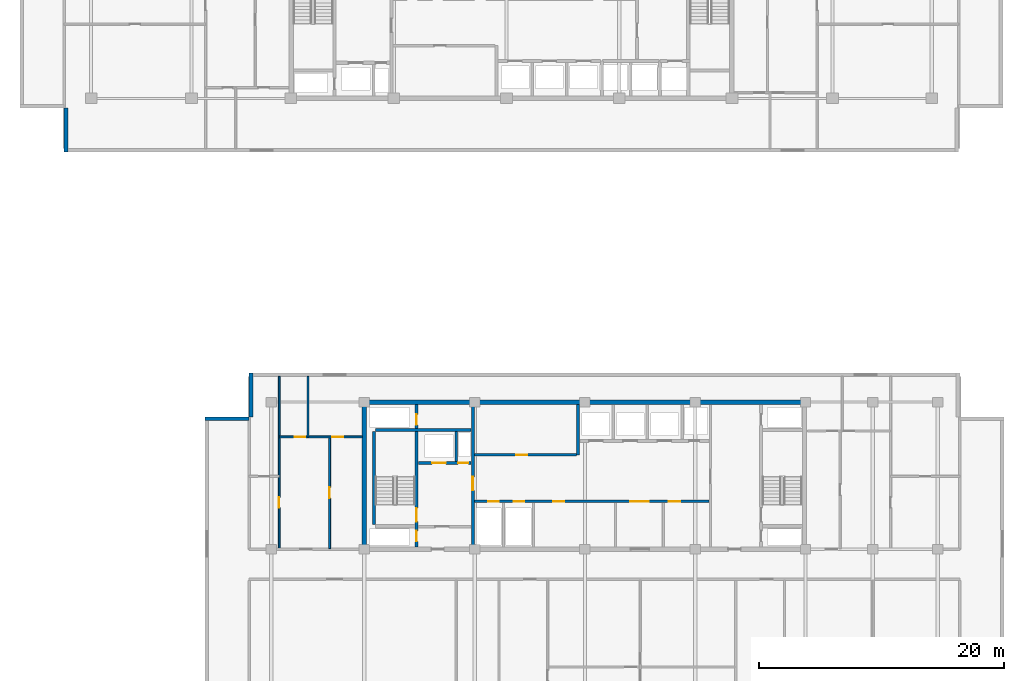
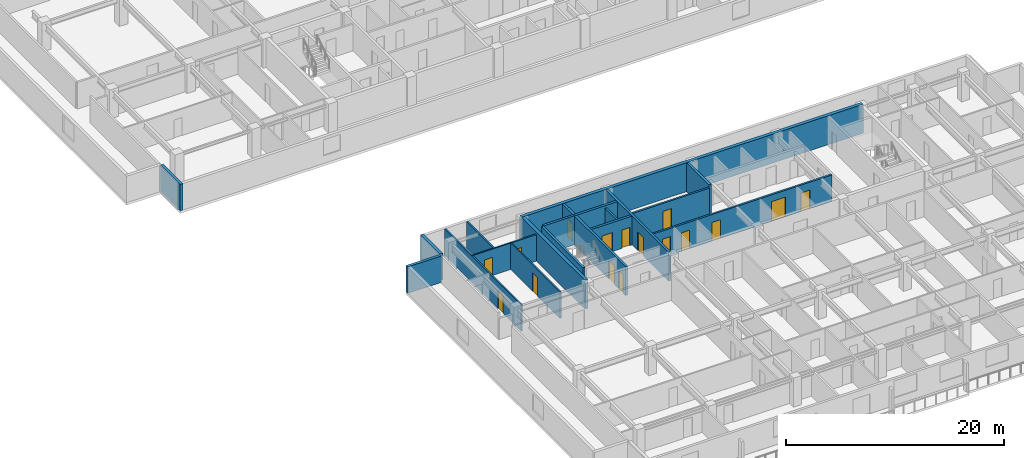
# One storey, part 6 of 21: 18 walls, 16 doors, 16 openings.
"""IFC4 building model written with IfcOpenShell, lengths in metres."""

import ifcopenshell
import ifcopenshell.guid

model = None  # the IFC model being written
_history = None  # IfcOwnerHistory: only IFC2X3 demands one
_inside = {}  # id of a spatial element -> (the spatial element, [elements in it])
_under = {}  # id of a project, library or spatial element -> (it, [spatial elements below it])
_declared = {}  # id of a project -> (the project, [libraries it declares])
_typed = {}  # id of a type object -> (the type object, [elements of that type])
_made_of = {}  # id of a material, layer set ... -> (it, [elements and type objects made of it])


def new_model(schema):
    """Start an empty IFC model of exactly this schema.

    Asked for "IFC4X3", IfcOpenShell would pick the latest addendum, in which some entities
    have other attributes; the version numbers below select the first issue.
    IFC2X3 requires an IfcOwnerHistory on every rooted entity: one is made here for all.
    """
    global model, _history
    if schema == "IFC4X3":
        model = ifcopenshell.file(schema_version=(4, 3, 0, 0))
    else:
        model = ifcopenshell.file(schema=schema)
    _inside.clear()
    _under.clear()
    _declared.clear()
    _typed.clear()
    _made_of.clear()
    _history = None
    if model.schema == "IFC2X3":
        org = make("IfcOrganization", Name="unknown")
        user = make(
            "IfcPersonAndOrganization",
            ThePerson=make("IfcPerson", FamilyName="unknown"),
            TheOrganization=org,
        )
        app = make(
            "IfcApplication",
            ApplicationDeveloper=org,
            Version="unknown",
            ApplicationFullName="unknown",
            ApplicationIdentifier="unknown",
        )
        _history = make(
            "IfcOwnerHistory",
            OwningUser=user,
            OwningApplication=app,
            ChangeAction="ADDED",
            CreationDate=0,
        )
    return model


def make(cls, **values):
    """One entity of the class cls with the attributes given. An attribute that is None is left unset."""
    return model.create_entity(
        cls, **{name: value for name, value in values.items() if value is not None}
    )


def rooted(cls, **values):
    """An entity with a GlobalId (a new one), such as an element, a storey or a relation."""
    return make(cls, GlobalId=ifcopenshell.guid.new(), OwnerHistory=_history, **values)


def si_unit(unit_type, name, prefix=None):
    """IfcSIUnit, for example si_unit("LENGTHUNIT", "METRE", prefix="MILLI")."""
    return make("IfcSIUnit", UnitType=unit_type, Prefix=prefix, Name=name)


def assignment(units):
    """IfcUnitAssignment: the units of a project."""
    return None if units is None else make("IfcUnitAssignment", Units=units)


def point(xyz):
    """IfcCartesianPoint."""
    return None if xyz is None else make("IfcCartesianPoint", Coordinates=xyz)


def direction(xyz):
    """IfcDirection."""
    return None if xyz is None else make("IfcDirection", DirectionRatios=xyz)


def frame(location, z_axis=None, x_axis=None):
    """IfcAxis2Placement3D, a coordinate frame: its origin and axes. An axis left out is left unset."""
    return make(
        "IfcAxis2Placement3D",
        Location=point(location),
        Axis=direction(z_axis),
        RefDirection=direction(x_axis),
    )


def frame_2d(location, x_axis=None):
    """IfcAxis2Placement2D, a coordinate frame in the plane: its origin and x axis."""
    return make(
        "IfcAxis2Placement2D", Location=point(location), RefDirection=direction(x_axis)
    )


def origin():
    """The frame at (0, 0, 0) with its axes left unset."""
    return frame((0.0, 0.0, 0.0))


def place(relative_to, where):
    """IfcLocalPlacement: puts the frame where relative to a parent placement (None: the world)."""
    return make(
        "IfcLocalPlacement", PlacementRelTo=relative_to, RelativePlacement=where
    )


def context(
    kind, dimensions, precision=None, world=None, true_north=None, identifier=None
):
    """IfcGeometricRepresentationContext, for example the 3D "Model" context."""
    return make(
        "IfcGeometricRepresentationContext",
        ContextIdentifier=identifier,
        ContextType=kind,
        CoordinateSpaceDimension=dimensions,
        Precision=precision,
        WorldCoordinateSystem=world,
        TrueNorth=true_north,
    )


def subcontext(parent, identifier, kind, view, scale=None):
    """IfcGeometricRepresentationSubContext, for example "Body" below "Model"."""
    return make(
        "IfcGeometricRepresentationSubContext",
        ContextIdentifier=identifier,
        ContextType=kind,
        ParentContext=parent,
        TargetScale=scale,
        TargetView=view,
    )


def project(units=None, contexts=None):
    """IfcProject with its units and contexts."""
    return rooted(
        "IfcProject",
        Name="project",
        RepresentationContexts=contexts,
        UnitsInContext=assignment(units),
    )


def spatial(cls, under=None, at=None, **own):
    """A site, building, storey or space (cls), placed at a placement, below another one or the project."""
    s = rooted(cls, ObjectPlacement=at, **own)
    if under is not None:
        _under.setdefault(under.id(), (under, []))[1].append(s)
    return s


def profile(cls, at=None, kind="AREA", **sizes):
    """A parametric profile (cls). Its sizes go by their IFC names, for example OverallWidth=200.0."""
    return make(cls, ProfileType=kind, Position=at, **sizes)


def rectangle(**sizes):
    """IfcRectangleProfileDef."""
    return profile("IfcRectangleProfileDef", **sizes)


def extrude(swept, where, along, depth):
    """IfcExtrudedAreaSolid: the profile swept, set in the frame where, extruded along a direction by depth."""
    return make(
        "IfcExtrudedAreaSolid",
        SweptArea=swept,
        Position=where,
        ExtrudedDirection=direction(along),
        Depth=depth,
    )


def shape(context_of_items, identifier, shape_type, items):
    """IfcShapeRepresentation: the items that make up one representation, for example the "Body"."""
    return make(
        "IfcShapeRepresentation",
        ContextOfItems=context_of_items,
        RepresentationIdentifier=identifier,
        RepresentationType=shape_type,
        Items=items,
    )


def material(Name=None, Category=None):
    """IfcMaterial."""
    return make("IfcMaterial", Name=Name, Category=Category)


def layer(
    of_material, thickness, ventilated=None, Name=None, Category=None, Priority=None
):
    """IfcMaterialLayer: one layer of a wall or slab, of a material (None: an air gap)."""
    return make(
        "IfcMaterialLayer",
        Material=of_material,
        LayerThickness=thickness,
        IsVentilated=ventilated,
        Name=Name,
        Category=Category,
        Priority=Priority,
    )


def layer_set(layers, Name=None):
    """IfcMaterialLayerSet."""
    return make("IfcMaterialLayerSet", MaterialLayers=layers, LayerSetName=Name)


def made_of(thing, what):
    """Note that an element or type object is made of a material, layer set ...; save() writes the relation."""
    if what is not None:
        _made_of.setdefault(what.id(), (what, []))[1].append(thing)
    return thing


def type_object(cls, material=None, **own):
    """A type object (cls), such as IfcWallType, which elements share."""
    return made_of(rooted(cls, **own), material)


def element(
    cls,
    number,
    at=None,
    inside=None,
    cuts=None,
    type_object=None,
    material=None,
    context=None,
    identifier="Body",
    shape_type=None,
    held_by="IfcProductDefinitionShape",
    body=None,
    shapes=None,
    **own,
):
    """One element of the class cls, such as IfcWall. Its Tag is "e" and its number.

    at: its placement. inside: the storey or other place that contains it. cuts: it is an
    opening in that element (IfcRelVoidsElement). A single representation is given by context,
    identifier, shape_type and body (its items); several are given by shapes. held_by: the class
    of the entity that holds the representations. save() writes the other relations.
    """
    e = rooted(cls, Tag="e%d" % number, ObjectPlacement=at, **own)
    if body is not None:
        shapes = [shape(context, identifier, shape_type, body)]
    if shapes is not None:
        e.Representation = make(held_by, Representations=shapes)
    if inside is not None:
        _inside.setdefault(inside.id(), (inside, []))[1].append(e)
    if cuts is not None:
        rooted(
            "IfcRelVoidsElement", RelatingBuildingElement=cuts, RelatedOpeningElement=e
        )
    if type_object is not None:
        _typed.setdefault(type_object.id(), (type_object, []))[1].append(e)
    return made_of(e, material)


def fill(opening, filler):
    """IfcRelFillsElement: the door or window that sits in an opening."""
    return rooted(
        "IfcRelFillsElement",
        RelatingOpeningElement=opening,
        RelatedBuildingElement=filler,
    )


def aggregate(whole, parts):
    """IfcRelAggregates: a whole, such as a stair, and the parts it consists of."""
    return rooted("IfcRelAggregates", RelatingObject=whole, RelatedObjects=parts)


def save(model, path):
    """Write the relations noted so far, then the file.

    IfcRelAggregates (storeys below a building ...), IfcRelContainedInSpatialStructure (elements
    in a storey), IfcRelDefinesByType, IfcRelAssociatesMaterial and IfcRelDeclares: one each for
    every whole, place, type object, material and project.
    """
    for whole, parts in _under.values():
        aggregate(whole, parts)
    for where, things in _inside.values():
        rooted(
            "IfcRelContainedInSpatialStructure",
            RelatedElements=things,
            RelatingStructure=where,
        )
    for kind, things in _typed.values():
        rooted("IfcRelDefinesByType", RelatedObjects=things, RelatingType=kind)
    for what, things in _made_of.values():
        rooted("IfcRelAssociatesMaterial", RelatedObjects=things, RelatingMaterial=what)
    for by, libraries in _declared.values():
        rooted("IfcRelDeclares", RelatingContext=by, RelatedDefinitions=libraries)
    model.write(path)


model = new_model("IFC4")

# Units and contexts
model_context = context("Model", 3, precision=1e-05, world=origin(), true_north=direction((0.0, 1.0)))
body_context = subcontext(model_context, "Body", "Model", "MODEL_VIEW")
ifc_project = project(units=[si_unit("LENGTHUNIT", "METRE"), si_unit("AREAUNIT", "SQUARE_METRE"), si_unit("VOLUMEUNIT", "CUBIC_METRE"), si_unit("PLANEANGLEUNIT", "RADIAN"), si_unit("MASSUNIT", "GRAM", prefix="KILO")], contexts=[model_context])

# Site, building, storey
site_placement = place(None, origin())
site = spatial("IfcSite", under=ifc_project, at=site_placement, CompositionType="ELEMENT")
building_placement = place(site_placement, origin())
building = spatial("IfcBuilding", under=site, at=building_placement, Name="Korimba Cascade Residences", CompositionType="ELEMENT")
storey_placement = place(building_placement, frame((0.0, 0.0, 123.050048828125)))
storey = spatial("IfcBuildingStorey", under=building, at=storey_placement, Name="L35", CompositionType="ELEMENT", Elevation=123.050048828125)

# Walls
ifc_material_1 = material(Name="Precast concrete C40/50", Category="concrete")
ifc_layer_1 = layer(ifc_material_1, 0.300048828125)
ifc_layer_set_1 = layer_set([ifc_layer_1], Name="Precast concrete C40/50")
wall_type_1 = type_object("IfcWallType", Name="EW-STONE-300", PredefinedType="STANDARD", material=ifc_layer_set_1)
wall_1_placement = place(storey_placement, frame((57.75, 54.39990234375, 0.0), z_axis=(0.0, 0.0, 1.0), x_axis=(0.0, -1.0, 0.0)))
element("IfcWall", 1, at=wall_1_placement, inside=storey, type_object=wall_type_1, Name="L35 T1 Perimeter Stone Wall E11", PredefinedType="STANDARD", context=body_context, shape_type="SweptSolid", body=[
    extrude(rectangle(XDim=3.599853515625, YDim=0.300048828125, at=frame_2d((1.7998046875, 0.0))), origin(), (0.0, 0.0, 1.0), 2.969970703125),
])
wall_2_placement = place(storey_placement, frame((72.85009765625, 32.800048828125, 0.0), z_axis=(0.0, 0.0, 1.0), x_axis=(0.0, -1.0, 0.0)))
element("IfcWall", 2, at=wall_2_placement, inside=storey, type_object=wall_type_1, Name="L35 T2 Perimeter Stone Wall E07", PredefinedType="STANDARD", context=body_context, shape_type="SweptSolid", body=[
    extrude(rectangle(XDim=3.60009765625, YDim=0.300048828125, at=frame_2d((1.800048828125, 0.0))), origin(), (0.0, 0.0, 1.0), 2.969970703125),
])
wall_3_placement = place(storey_placement, frame((72.699951171875, 29.050048828125, 0.0), z_axis=(0.0, 0.0, 1.0), x_axis=(-1.0, 0.0, 0.0)))
element("IfcWall", 3, at=wall_3_placement, inside=storey, type_object=wall_type_1, Name="L35 T2 Perimeter Stone Wall E08", PredefinedType="STANDARD", context=body_context, shape_type="SweptSolid", body=[
    extrude(rectangle(XDim=3.599853515625, YDim=0.300048828125, at=frame_2d((1.7998046875, 0.0))), origin(), (0.0, 0.0, 1.0), 2.969970703125),
])
ifc_material_2 = material(Name="Concrete C65/80", Category="concrete")
ifc_layer_2 = layer(ifc_material_2, 0.35009765625)
ifc_layer_set_2 = layer_set([ifc_layer_2], Name="Concrete C65/80")
wall_type_2 = type_object("IfcWallType", Name="WAL-CORE-350", PredefinedType="SHEAR", material=ifc_layer_set_2)
wall_4_placement = place(storey_placement, frame((81.925048828125, 30.39990234375, 0.0), z_axis=(0.0, 0.0, 1.0), x_axis=(1.0, 0.0, 0.0)))
element("IfcWall", 4, at=wall_4_placement, inside=storey, type_object=wall_type_2, Name="L35 Core Shear Wall CW-L35-T2-N", PredefinedType="SHEAR", context=body_context, shape_type="SweptSolid", body=[
    extrude(rectangle(XDim=36.264892578125, YDim=0.35009765625, at=frame_2d((18.13232421875, 0.0))), origin(), (0.0, 0.0, 1.0), 3.25),
])
wall_5_placement = place(storey_placement, frame((82.10009765625, 18.574951171875, 0.0), z_axis=(0.0, 0.0, 1.0), x_axis=(0.0, 1.0, 0.0)))
element("IfcWall", 5, at=wall_5_placement, inside=storey, type_object=wall_type_2, Name="L35 Core Shear Wall CW-L35-T2-W", PredefinedType="SHEAR", context=body_context, shape_type="SweptSolid", body=[
    extrude(rectangle(XDim=11.650146484375, YDim=0.35009765625, at=frame_2d((5.8251953125, 0.0))), origin(), (0.0, 0.0, 1.0), 3.25),
])

# Wall, opening, door
ifc_material_3 = material(Name="Insulated Acoustic Stud Partition", Category="gypsum")
ifc_layer_3 = layer(ifc_material_3, 0.14990234375)
ifc_layer_set_3 = layer_set([ifc_layer_3], Name="Insulated Acoustic Stud Partition")
wall_type_3 = type_object("IfcWallType", Name="WAL-PART-150", PredefinedType="PARTITIONING", material=ifc_layer_set_3)
wall_6_placement = place(storey_placement, frame((75.14990234375, 18.449951171875, 0.0), z_axis=(0.0, 0.0, 1.0), x_axis=(0.0, 1.0, 0.0)))
wall_6 = element("IfcWall", 6, at=wall_6_placement, inside=storey, type_object=wall_type_3, Name="L35 Partition Wall WAL-L35-T2-FW-STV", PredefinedType="PARTITIONING", context=body_context, shape_type="SweptSolid", body=[
    extrude(rectangle(XDim=14.050048828125, YDim=0.14990234375, at=frame_2d((7.02490234375, 0.0))), origin(), (0.0, 0.0, 1.0), 2.969970703125),
])
opening_1_placement = place(wall_6_placement, frame((3.320068359375, 0.0, 0.0)))
opening_1 = element("IfcOpeningElement", 7, at=opening_1_placement, cuts=wall_6, Name="Opening D-IN2", PredefinedType="OPENING", context=body_context, shape_type="SweptSolid", body=[
    extrude(rectangle(XDim=0.8798828125, YDim=2.06005859375, at=frame_2d((0.43994140625, 1.030029296875))), frame((0.0, 0.0849609375, 0.0), z_axis=(0.0, -1.0, 0.0), x_axis=(1.0, 0.0, 0.0)), (0.0, 0.0, 1.0), 0.169921875),
])
ifc_material_4 = material(Name="Acoustic Timber Bedroom Door", Category="wood")
door_type_1 = type_object("IfcDoorType", Name="DR-INT-880", OperationType="NOTDEFINED", PredefinedType="DOOR", material=ifc_material_4)
door_1_placement = place(opening_1_placement, origin())
door_1 = element("IfcDoor", 8, at=door_1_placement, inside=storey, type_object=door_type_1, Name="L35-T2-FW Study Door", OperationType="SINGLE_SWING_RIGHT", OverallHeight=2.06005859375, OverallWidth=0.8798828125, PredefinedType="DOOR", context=body_context, shape_type="SweptSolid", body=[
    extrude(rectangle(XDim=0.8798828125, YDim=2.06005859375, at=frame_2d((0.43994140625, 1.030029296875))), frame((0.0, 0.02490234375, 0.0), z_axis=(0.0, -1.0, 0.0), x_axis=(1.0, 0.0, 0.0)), (0.0, 0.0, 1.0), 0.050048828125),
])
fill(opening_1, door_1)

wall_7_placement = place(storey_placement, frame((79.27001953125, 18.449951171875, 0.0), z_axis=(0.0, 0.0, 1.0), x_axis=(0.0, 1.0, 0.0)))
wall_7 = element("IfcWall", 9, at=wall_7_placement, inside=storey, type_object=wall_type_3, Name="L35 Partition Wall WAL-L35-T2-FW-VS", PredefinedType="PARTITIONING", context=body_context, shape_type="SweptSolid", body=[
    extrude(rectangle(XDim=9.1201171875, YDim=0.14990234375, at=frame_2d((4.56005859375, 0.0))), origin(), (0.0, 0.0, 1.0), 2.969970703125),
])
opening_2_placement = place(wall_7_placement, frame((4.10009765625, 0.0, 0.0)))
opening_2 = element("IfcOpeningElement", 10, at=opening_2_placement, cuts=wall_7, Name="Opening D-IN1", PredefinedType="OPENING", context=body_context, shape_type="SweptSolid", body=[
    extrude(rectangle(XDim=0.919921875, YDim=2.080078125, at=frame_2d((0.4599609375, 1.0400390625))), frame((0.0, 0.0849609375, 0.0), z_axis=(0.0, -1.0, 0.0), x_axis=(1.0, 0.0, 0.0)), (0.0, 0.0, 1.0), 0.169921875),
])
ifc_material_5 = material(Name="Acoustic Timber Living Door", Category="wood")
door_type_2 = type_object("IfcDoorType", Name="DR-INT-920", OperationType="NOTDEFINED", PredefinedType="DOOR", material=ifc_material_5)
door_2_placement = place(opening_2_placement, origin())
door_2 = element("IfcDoor", 11, at=door_2_placement, inside=storey, type_object=door_type_2, Name="L35-T2-FW Living Door", OperationType="SINGLE_SWING_LEFT", OverallHeight=2.080078125, OverallWidth=0.919921875, PredefinedType="DOOR", context=body_context, shape_type="SweptSolid", body=[
    extrude(rectangle(XDim=0.919921875, YDim=2.080078125, at=frame_2d((0.4599609375, 1.0400390625))), frame((0.0, 0.02490234375, 0.0), z_axis=(0.0, -1.0, 0.0), x_axis=(1.0, 0.0, 0.0)), (0.0, 0.0, 1.0), 0.050048828125),
])
fill(opening_2, door_2)

# Wall
wall_8_placement = place(storey_placement, frame((77.5, 27.570068359375, 0.0), z_axis=(0.0, 0.0, 1.0), x_axis=(0.0, 1.0, 0.0)))
element("IfcWall", 12, at=wall_8_placement, inside=storey, type_object=wall_type_3, Name="L35 Partition Wall WAL-L35-T2-FW-VN", PredefinedType="PARTITIONING", context=body_context, shape_type="SweptSolid", body=[
    extrude(rectangle(XDim=4.929931640625, YDim=0.14990234375, at=frame_2d((2.46484375, 0.0))), origin(), (0.0, 0.0, 1.0), 2.969970703125),
])

# Wall, openings, doors
wall_9_placement = place(storey_placement, frame((75.169921875, 27.570068359375, 0.0), z_axis=(0.0, 0.0, 1.0), x_axis=(1.0, 0.0, 0.0)))
wall_9 = element("IfcWall", 13, at=wall_9_placement, inside=storey, type_object=wall_type_3, Name="L35 Partition Wall WAL-L35-T2-FW-H", PredefinedType="PARTITIONING", context=body_context, shape_type="SweptSolid", body=[
    extrude(rectangle(XDim=6.760009765625, YDim=0.14990234375, at=frame_2d((3.3798828125, 0.0))), origin(), (0.0, 0.0, 1.0), 2.969970703125),
])
opening_3_placement = place(wall_9_placement, frame((1.266357421875, 0.0, 0.0)))
opening_3 = element("IfcOpeningElement", 14, at=opening_3_placement, cuts=wall_9, Name="Opening D-BT1", PredefinedType="OPENING", context=body_context, shape_type="SweptSolid", body=[
    extrude(rectangle(XDim=0.840087890625, YDim=2.0400390625, at=frame_2d((0.419921875, 1.02001953125))), frame((0.0, 0.0849609375, 0.0), z_axis=(0.0, -1.0, 0.0), x_axis=(1.0, 0.0, 0.0)), (0.0, 0.0, 1.0), 0.169921875),
])
opening_4_placement = place(wall_9_placement, frame((4.320068359375, 0.0, 0.0)))
opening_4 = element("IfcOpeningElement", 15, at=opening_4_placement, cuts=wall_9, Name="Opening D-IN2", PredefinedType="OPENING", context=body_context, shape_type="SweptSolid", body=[
    extrude(rectangle(XDim=0.8798828125, YDim=2.06005859375, at=frame_2d((0.43994140625, 1.030029296875))), frame((0.0, 0.0849609375, 0.0), z_axis=(0.0, -1.0, 0.0), x_axis=(1.0, 0.0, 0.0)), (0.0, 0.0, 1.0), 0.169921875),
])
ifc_material_6 = material(Name="Moisture-Resistant Bathroom Timber Door", Category="wood")
door_type_3 = type_object("IfcDoorType", Name="DR-INT-850", OperationType="NOTDEFINED", PredefinedType="DOOR", material=ifc_material_6)
door_3_placement = place(opening_3_placement, origin())
door_3 = element("IfcDoor", 16, at=door_3_placement, inside=storey, type_object=door_type_3, Name="L35-T2-FW Bathroom Door", OperationType="SINGLE_SWING_RIGHT", OverallHeight=2.0400390625, OverallWidth=0.840087890625, PredefinedType="DOOR", context=body_context, shape_type="SweptSolid", body=[
    extrude(rectangle(XDim=0.840087890625, YDim=2.0400390625, at=frame_2d((0.419921875, 1.02001953125))), frame((0.0, 0.02490234375, 0.0), z_axis=(0.0, -1.0, 0.0), x_axis=(1.0, 0.0, 0.0)), (0.0, 0.0, 1.0), 0.050048828125),
])
fill(opening_3, door_3)
door_4_placement = place(opening_4_placement, origin())
door_4 = element("IfcDoor", 17, at=door_4_placement, inside=storey, type_object=door_type_1, Name="L35-T2-FW Bedroom Door", OperationType="SINGLE_SWING_LEFT", OverallHeight=2.06005859375, OverallWidth=0.8798828125, PredefinedType="DOOR", context=body_context, shape_type="SweptSolid", body=[
    extrude(rectangle(XDim=0.8798828125, YDim=2.06005859375, at=frame_2d((0.43994140625, 1.030029296875))), frame((0.0, 0.02490234375, 0.0), z_axis=(0.0, -1.0, 0.0), x_axis=(1.0, 0.0, 0.0)), (0.0, 0.0, 1.0), 0.050048828125),
])
fill(opening_4, door_4)

# Wall
ifc_material_7 = material(Name="Concrete C40/50", Category="concrete")
ifc_layer_4 = layer(ifc_material_7, 0.199951171875)
ifc_layer_set_4 = layer_set([ifc_layer_4], Name="Concrete C40/50")
wall_type_4 = type_object("IfcWallType", Name="WAL-PART-200", PredefinedType="PARTITIONING", material=ifc_layer_set_4)
wall_10_placement = place(storey_placement, frame((89.60009765625, 25.580078125, 0.0), z_axis=(0.0, 0.0, 1.0), x_axis=(0.0, 1.0, 0.0)))
element("IfcWall", 18, at=wall_10_placement, inside=storey, type_object=wall_type_4, Name="L35 Partition Wall CW-L35-T2-FFLDIV", PredefinedType="PARTITIONING", context=body_context, shape_type="SweptSolid", body=[
    extrude(rectangle(XDim=2.419921875, YDim=0.199951171875, at=frame_2d((1.2099609375, 0.0))), origin(), (0.0, 0.0, 1.0), 2.969970703125),
])

# Wall, opening, door
wall_11_placement = place(storey_placement, frame((91.080078125, 26.10009765625, 0.0), z_axis=(0.0, 0.0, 1.0), x_axis=(1.0, 0.0, 0.0)))
wall_11 = element("IfcWall", 19, at=wall_11_placement, inside=storey, type_object=wall_type_4, Name="L35 Partition Wall CW-L35-T2-B1RS", PredefinedType="PARTITIONING", context=body_context, shape_type="SweptSolid", body=[
    extrude(rectangle(XDim=8.33984375, YDim=0.199951171875, at=frame_2d((4.169921875, 0.0))), origin(), (0.0, 0.0, 1.0), 2.969970703125),
])
opening_5_placement = place(wall_11_placement, frame((3.39990234375, 0.0, 0.0)))
opening_5 = element("IfcOpeningElement", 20, at=opening_5_placement, cuts=wall_11, Name="Opening D-ST1", PredefinedType="OPENING", context=body_context, shape_type="SweptSolid", body=[
    extrude(rectangle(XDim=0.919921875, YDim=2.080078125, at=frame_2d((0.4599609375, 1.0400390625))), frame((0.0, 0.10986328125, 0.0), z_axis=(0.0, -1.0, 0.0), x_axis=(1.0, 0.0, 0.0)), (0.0, 0.0, 1.0), 0.219970703125),
])
ifc_material_8 = material(Name="Fire-Rated Core Store Door", Category="wood")
door_type_4 = type_object("IfcDoorType", Name="DR-FD60-920", OperationType="NOTDEFINED", PredefinedType="DOOR", material=ifc_material_8)
door_5_placement = place(opening_5_placement, origin())
door_5 = element("IfcDoor", 21, at=door_5_placement, inside=storey, type_object=door_type_4, Name="L35 T2 Resident Storage Door", OperationType="SINGLE_SWING_LEFT", OverallHeight=2.080078125, OverallWidth=0.919921875, PredefinedType="DOOR", context=body_context, shape_type="SweptSolid", body=[
    extrude(rectangle(XDim=0.919921875, YDim=2.080078125, at=frame_2d((0.4599609375, 1.0400390625))), frame((0.0, 0.02490234375, 0.0), z_axis=(0.0, -1.0, 0.0), x_axis=(1.0, 0.0, 0.0)), (0.0, 0.0, 1.0), 0.050048828125),
])
fill(opening_5, door_5)

# Wall, openings, doors
wall_12_placement = place(storey_placement, frame((91.080078125, 22.300048828125, 0.0), z_axis=(0.0, 0.0, 1.0), x_axis=(1.0, 0.0, 0.0)))
wall_12 = element("IfcWall", 22, at=wall_12_placement, inside=storey, type_object=wall_type_4, Name="L35 Partition Wall CW-L35-T2-SRVROW", PredefinedType="PARTITIONING", context=body_context, shape_type="SweptSolid", body=[
    extrude(rectangle(XDim=19.139892578125, YDim=0.199951171875, at=frame_2d((9.56982421875, 0.0))), origin(), (0.0, 0.0, 1.0), 2.969970703125),
])
opening_6_placement = place(wall_12_placement, frame((1.14990234375, 0.0, 0.0)))
opening_6 = element("IfcOpeningElement", 23, at=opening_6_placement, cuts=wall_12, Name="Opening D-RS1", PredefinedType="OPENING", context=body_context, shape_type="SweptSolid", body=[
    extrude(rectangle(XDim=0.85009765625, YDim=2.050048828125, at=frame_2d((0.425048828125, 1.02490234375))), frame((0.0, 0.10986328125, 0.0), z_axis=(0.0, -1.0, 0.0), x_axis=(1.0, 0.0, 0.0)), (0.0, 0.0, 1.0), 0.219970703125),
])
opening_7_placement = place(wall_12_placement, frame((3.199951171875, 0.0, 0.0)))
opening_7 = element("IfcOpeningElement", 24, at=opening_7_placement, cuts=wall_12, Name="Opening D-RS1", PredefinedType="OPENING", context=body_context, shape_type="SweptSolid", body=[
    extrude(rectangle(XDim=0.85009765625, YDim=2.050048828125, at=frame_2d((0.425048828125, 1.02490234375))), frame((0.0, 0.10986328125, 0.0), z_axis=(0.0, -1.0, 0.0), x_axis=(1.0, 0.0, 0.0)), (0.0, 0.0, 1.0), 0.219970703125),
])
opening_8_placement = place(wall_12_placement, frame((12.719970703125, 0.0, 0.0)))
opening_8 = element("IfcOpeningElement", 25, at=opening_8_placement, cuts=wall_12, Name="Opening D-FD8", PredefinedType="OPENING", context=body_context, shape_type="SweptSolid", body=[
    extrude(rectangle(XDim=1.5, YDim=2.199951171875, at=frame_2d((0.75, 1.10009765625))), frame((0.0, 0.10986328125, 0.0), z_axis=(0.0, -1.0, 0.0), x_axis=(1.0, 0.0, 0.0)), (0.0, 0.0, 1.0), 0.219970703125),
])
opening_9_placement = place(wall_12_placement, frame((6.419921875, 0.0, 0.0)))
opening_9 = element("IfcOpeningElement", 26, at=opening_9_placement, cuts=wall_12, Name="Opening D-IN1", PredefinedType="OPENING", context=body_context, shape_type="SweptSolid", body=[
    extrude(rectangle(XDim=0.919921875, YDim=2.080078125, at=frame_2d((0.4599609375, 1.0400390625))), frame((0.0, 0.10986328125, 0.0), z_axis=(0.0, -1.0, 0.0), x_axis=(1.0, 0.0, 0.0)), (0.0, 0.0, 1.0), 0.219970703125),
])
opening_10_placement = place(wall_12_placement, frame((15.8701171875, 0.0, 0.0)))
opening_10 = element("IfcOpeningElement", 27, at=opening_10_placement, cuts=wall_12, Name="Opening D-IN1", PredefinedType="OPENING", context=body_context, shape_type="SweptSolid", body=[
    extrude(rectangle(XDim=0.919921875, YDim=2.080078125, at=frame_2d((0.4599609375, 1.0400390625))), frame((0.0, 0.10986328125, 0.0), z_axis=(0.0, -1.0, 0.0), x_axis=(1.0, 0.0, 0.0)), (0.0, 0.0, 1.0), 0.219970703125),
])
ifc_material_9 = material(Name="Fire-Rated Steel Riser Access Door", Category="steel")
door_type_5 = type_object("IfcDoorType", Name="DR-FD60-850", OperationType="NOTDEFINED", PredefinedType="DOOR", material=ifc_material_9)
door_6_placement = place(opening_6_placement, origin())
door_6 = element("IfcDoor", 28, at=door_6_placement, inside=storey, type_object=door_type_5, Name="L35 T2 Electrical Riser Door", OperationType="SINGLE_SWING_LEFT", OverallHeight=2.050048828125, OverallWidth=0.85009765625, PredefinedType="DOOR", context=body_context, shape_type="SweptSolid", body=[
    extrude(rectangle(XDim=0.85009765625, YDim=2.050048828125, at=frame_2d((0.425048828125, 1.02490234375))), frame((0.0, 0.02490234375, 0.0), z_axis=(0.0, -1.0, 0.0), x_axis=(1.0, 0.0, 0.0)), (0.0, 0.0, 1.0), 0.050048828125),
])
fill(opening_6, door_6)
door_7_placement = place(opening_7_placement, origin())
door_7 = element("IfcDoor", 29, at=door_7_placement, inside=storey, type_object=door_type_5, Name="L35 T2 Plumbing Riser Door", OperationType="SINGLE_SWING_RIGHT", OverallHeight=2.050048828125, OverallWidth=0.85009765625, PredefinedType="DOOR", context=body_context, shape_type="SweptSolid", body=[
    extrude(rectangle(XDim=0.85009765625, YDim=2.050048828125, at=frame_2d((0.425048828125, 1.02490234375))), frame((0.0, 0.02490234375, 0.0), z_axis=(0.0, -1.0, 0.0), x_axis=(1.0, 0.0, 0.0)), (0.0, 0.0, 1.0), 0.050048828125),
])
fill(opening_7, door_7)
ifc_material_10 = material(Name="Fire-Rated Glazed Lift Lobby Double Door", Category="glass")
door_type_6 = type_object("IfcDoorType", Name="DR-FD90-1500", OperationType="NOTDEFINED", PredefinedType="DOOR", material=ifc_material_10)
door_8_placement = place(opening_8_placement, origin())
door_8 = element("IfcDoor", 30, at=door_8_placement, inside=storey, type_object=door_type_6, Name="L35 T2 Lift Lobby Foyer Door", OperationType="DOUBLE_DOOR_SINGLE_SWING", OverallHeight=2.199951171875, OverallWidth=1.5, PredefinedType="DOOR", context=body_context, shape_type="SweptSolid", body=[
    extrude(rectangle(XDim=1.5, YDim=2.199951171875, at=frame_2d((0.75, 1.10009765625))), frame((0.0, 0.02490234375, 0.0), z_axis=(0.0, -1.0, 0.0), x_axis=(1.0, 0.0, 0.0)), (0.0, 0.0, 1.0), 0.050048828125),
])
fill(opening_8, door_8)
door_9_placement = place(opening_9_placement, origin())
door_9 = element("IfcDoor", 31, at=door_9_placement, inside=storey, type_object=door_type_2, Name="L35 T2 Housekeeping Door", OperationType="SINGLE_SWING_LEFT", OverallHeight=2.080078125, OverallWidth=0.919921875, PredefinedType="DOOR", context=body_context, shape_type="SweptSolid", body=[
    extrude(rectangle(XDim=0.919921875, YDim=2.080078125, at=frame_2d((0.4599609375, 1.0400390625))), frame((0.0, 0.02490234375, 0.0), z_axis=(0.0, -1.0, 0.0), x_axis=(1.0, 0.0, 0.0)), (0.0, 0.0, 1.0), 0.050048828125),
])
fill(opening_9, door_9)
door_10_placement = place(opening_10_placement, origin())
door_10 = element("IfcDoor", 32, at=door_10_placement, inside=storey, type_object=door_type_2, Name="L35 T2 Store Door", OperationType="SINGLE_SWING_RIGHT", OverallHeight=2.080078125, OverallWidth=0.919921875, PredefinedType="DOOR", context=body_context, shape_type="SweptSolid", body=[
    extrude(rectangle(XDim=0.919921875, YDim=2.080078125, at=frame_2d((0.4599609375, 1.0400390625))), frame((0.0, 0.02490234375, 0.0), z_axis=(0.0, -1.0, 0.0), x_axis=(1.0, 0.0, 0.0)), (0.0, 0.0, 1.0), 0.050048828125),
])
fill(opening_10, door_10)

# Wall
ifc_material_11 = material(Name="Concrete C50/60", Category="concrete")
ifc_layer_5 = layer(ifc_material_11, 0.25)
ifc_layer_set_5 = layer_set([ifc_layer_5], Name="Concrete C50/60")
wall_type_5 = type_object("IfcWallType", Name="WAL-SHAFT-250", PredefinedType="SHEAR", material=ifc_layer_set_5)
wall_13_placement = place(storey_placement, frame((82.875, 20.39990234375, 0.0), z_axis=(0.0, 0.0, 1.0), x_axis=(0.0, 1.0, 0.0)))
element("IfcWall", 33, at=wall_13_placement, inside=storey, type_object=wall_type_5, Name="L35 Core Shear Wall CW-L35-T2-STE1W", PredefinedType="SHEAR", context=body_context, shape_type="SweptSolid", body=[
    extrude(rectangle(XDim=7.60009765625, YDim=0.25, at=frame_2d((3.800048828125, 0.0))), origin(), (0.0, 0.0, 1.0), 3.25),
])

# Wall, openings, doors
wall_14_placement = place(storey_placement, frame((86.364990234375, 18.60009765625, 0.0), z_axis=(0.0, 0.0, 1.0), x_axis=(0.0, 1.0, 0.0)))
wall_14 = element("IfcWall", 34, at=wall_14_placement, inside=storey, type_object=wall_type_5, Name="L35 Core Shear Wall CW-L35-T2-STE1E", PredefinedType="SHEAR", context=body_context, shape_type="SweptSolid", body=[
    extrude(rectangle(XDim=11.599853515625, YDim=0.25, at=frame_2d((5.7998046875, 0.0))), origin(), (0.0, 0.0, 1.0), 3.25),
])
opening_11_placement = place(wall_14_placement, frame((0.449951171875, 0.0, 0.0)))
opening_11 = element("IfcOpeningElement", 35, at=opening_11_placement, cuts=wall_14, Name="Opening D-RS1", PredefinedType="OPENING", context=body_context, shape_type="SweptSolid", body=[
    extrude(rectangle(XDim=0.85009765625, YDim=2.050048828125, at=frame_2d((0.425048828125, 1.02490234375))), frame((0.0, 0.135009765625, 0.0), z_axis=(0.0, -1.0, 0.0), x_axis=(1.0, 0.0, 0.0)), (0.0, 0.0, 1.0), 0.27001953125),
])
opening_12_placement = place(wall_14_placement, frame((2.050048828125, 0.0, 0.0)))
opening_12 = element("IfcOpeningElement", 36, at=opening_12_placement, cuts=wall_14, Name="Opening D-FD1", PredefinedType="OPENING", context=body_context, shape_type="SweptSolid", body=[
    extrude(rectangle(XDim=1.10009765625, YDim=2.10009765625, at=frame_2d((0.550048828125, 1.050048828125))), frame((0.0, 0.135009765625, 0.0), z_axis=(0.0, -1.0, 0.0), x_axis=(1.0, 0.0, 0.0)), (0.0, 0.0, 1.0), 0.27001953125),
])
opening_13_placement = place(wall_14_placement, frame((9.949951171875, 0.0, 0.0)))
opening_13 = element("IfcOpeningElement", 37, at=opening_13_placement, cuts=wall_14, Name="Opening D-RS1", PredefinedType="OPENING", context=body_context, shape_type="SweptSolid", body=[
    extrude(rectangle(XDim=0.85009765625, YDim=2.050048828125, at=frame_2d((0.425048828125, 1.02490234375))), frame((0.0, 0.135009765625, 0.0), z_axis=(0.0, -1.0, 0.0), x_axis=(1.0, 0.0, 0.0)), (0.0, 0.0, 1.0), 0.27001953125),
])
ifc_material_12 = material(Name="Fire-Rated Steel Core Door", Category="steel")
door_type_7 = type_object("IfcDoorType", Name="DR-FD120-1100", OperationType="NOTDEFINED", PredefinedType="DOOR", material=ifc_material_12)
door_11_placement = place(opening_12_placement, origin())
door_11 = element("IfcDoor", 38, at=door_11_placement, inside=storey, type_object=door_type_7, Name="L35 Fire Stair ST-E1 Door", OperationType="SINGLE_SWING_RIGHT", OverallHeight=2.10009765625, OverallWidth=1.10009765625, PredefinedType="DOOR", context=body_context, shape_type="SweptSolid", body=[
    extrude(rectangle(XDim=1.10009765625, YDim=2.10009765625, at=frame_2d((0.550048828125, 1.050048828125))), frame((0.0, 0.02490234375, 0.0), z_axis=(0.0, -1.0, 0.0), x_axis=(1.0, 0.0, 0.0)), (0.0, 0.0, 1.0), 0.050048828125),
])
fill(opening_12, door_11)
door_12_placement = place(opening_11_placement, origin())
door_12 = element("IfcDoor", 39, at=door_12_placement, inside=storey, type_object=door_type_5, Name="L35 T2 Hydrant Riser Door", OperationType="SINGLE_SWING_LEFT", OverallHeight=2.050048828125, OverallWidth=0.85009765625, PredefinedType="DOOR", context=body_context, shape_type="SweptSolid", body=[
    extrude(rectangle(XDim=0.85009765625, YDim=2.050048828125, at=frame_2d((0.425048828125, 1.02490234375))), frame((0.0, 0.02490234375, 0.0), z_axis=(0.0, -1.0, 0.0), x_axis=(1.0, 0.0, 0.0)), (0.0, 0.0, 1.0), 0.050048828125),
])
fill(opening_11, door_12)
door_13_placement = place(opening_13_placement, origin())
door_13 = element("IfcDoor", 40, at=door_13_placement, inside=storey, type_object=door_type_5, Name="L35 T2 Smoke Shaft Door", OperationType="SINGLE_SWING_LEFT", OverallHeight=2.050048828125, OverallWidth=0.85009765625, PredefinedType="DOOR", context=body_context, shape_type="SweptSolid", body=[
    extrude(rectangle(XDim=0.85009765625, YDim=2.050048828125, at=frame_2d((0.425048828125, 1.02490234375))), frame((0.0, 0.02490234375, 0.0), z_axis=(0.0, -1.0, 0.0), x_axis=(1.0, 0.0, 0.0)), (0.0, 0.0, 1.0), 0.050048828125),
])
fill(opening_13, door_13)

# Wall
wall_15_placement = place(storey_placement, frame((83.0, 28.125, 0.0), z_axis=(0.0, 0.0, 1.0), x_axis=(1.0, 0.0, 0.0)))
element("IfcWall", 41, at=wall_15_placement, inside=storey, type_object=wall_type_5, Name="L35 Core Shear Wall CW-L35-T2-STE1N", PredefinedType="SHEAR", context=body_context, shape_type="SweptSolid", body=[
    extrude(rectangle(XDim=7.820068359375, YDim=0.25, at=frame_2d((3.91015625, 0.0))), origin(), (0.0, 0.0, 1.0), 3.25),
])

# Wall, openings, doors
wall_16_placement = place(storey_placement, frame((86.5, 25.449951171875, 0.0), z_axis=(0.0, 0.0, 1.0), x_axis=(1.0, 0.0, 0.0)))
wall_16 = element("IfcWall", 42, at=wall_16_placement, inside=storey, type_object=wall_type_5, Name="L35 Core Shear Wall CW-L35-T2-FFLN", PredefinedType="SHEAR", context=body_context, shape_type="SweptSolid", body=[
    extrude(rectangle(XDim=4.320068359375, YDim=0.25, at=frame_2d((2.16015625, 0.0))), origin(), (0.0, 0.0, 1.0), 3.25),
])
opening_14_placement = place(wall_16_placement, frame((1.139892578125, 0.0, 0.0)))
opening_14 = element("IfcOpeningElement", 43, at=opening_14_placement, cuts=wall_16, Name="Opening LD-01", PredefinedType="OPENING", context=body_context, shape_type="SweptSolid", body=[
    extrude(rectangle(XDim=1.1201171875, YDim=2.1201171875, at=frame_2d((0.56005859375, 1.06005859375))), frame((0.0, 0.135009765625, 0.0), z_axis=(0.0, -1.0, 0.0), x_axis=(1.0, 0.0, 0.0)), (0.0, 0.0, 1.0), 0.27001953125),
])
opening_15_placement = place(wall_16_placement, frame((3.25, 0.0, 0.0)))
opening_15 = element("IfcOpeningElement", 44, at=opening_15_placement, cuts=wall_16, Name="Opening D-RS1", PredefinedType="OPENING", context=body_context, shape_type="SweptSolid", body=[
    extrude(rectangle(XDim=0.85009765625, YDim=2.050048828125, at=frame_2d((0.425048828125, 1.02490234375))), frame((0.0, 0.135009765625, 0.0), z_axis=(0.0, -1.0, 0.0), x_axis=(1.0, 0.0, 0.0)), (0.0, 0.0, 1.0), 0.27001953125),
])
door_14_placement = place(opening_15_placement, origin())
door_14 = element("IfcDoor", 45, at=door_14_placement, inside=storey, type_object=door_type_5, Name="L35 T2 Pressurisation Riser Door", OperationType="SINGLE_SWING_RIGHT", OverallHeight=2.050048828125, OverallWidth=0.85009765625, PredefinedType="DOOR", context=body_context, shape_type="SweptSolid", body=[
    extrude(rectangle(XDim=0.85009765625, YDim=2.050048828125, at=frame_2d((0.425048828125, 1.02490234375))), frame((0.0, 0.02490234375, 0.0), z_axis=(0.0, -1.0, 0.0), x_axis=(1.0, 0.0, 0.0)), (0.0, 0.0, 1.0), 0.050048828125),
])
fill(opening_15, door_14)
ifc_material_13 = material(Name="Stainless Steel Lift Landing Sliding Door", Category="steel")
door_type_8 = type_object("IfcDoorType", Name="DR-LIFT-1100", OperationType="NOTDEFINED", PredefinedType="DOOR", material=ifc_material_13)
door_15_placement = place(opening_14_placement, origin())
door_15 = element("IfcDoor", 46, at=door_15_placement, inside=storey, type_object=door_type_8, Name="L35 Firefighting Lift Landing Door FFL-E1", OperationType="SLIDING_TO_RIGHT", OverallHeight=2.1201171875, OverallWidth=1.1201171875, PredefinedType="DOOR", context=body_context, shape_type="SweptSolid", body=[
    extrude(rectangle(XDim=1.1201171875, YDim=2.1201171875, at=frame_2d((0.56005859375, 1.06005859375))), frame((0.0, 0.02490234375, 0.0), z_axis=(0.0, -1.0, 0.0), x_axis=(1.0, 0.0, 0.0)), (0.0, 0.0, 1.0), 0.050048828125),
])
fill(opening_14, door_15)

# Wall, opening, door
wall_17_placement = place(storey_placement, frame((90.949951171875, 18.60009765625, 0.0), z_axis=(0.0, 0.0, 1.0), x_axis=(0.0, 1.0, 0.0)))
wall_17 = element("IfcWall", 47, at=wall_17_placement, inside=storey, type_object=wall_type_5, Name="L35 Core Shear Wall CW-L35-T2-FFLE", PredefinedType="SHEAR", context=body_context, shape_type="SweptSolid", body=[
    extrude(rectangle(XDim=11.599853515625, YDim=0.25, at=frame_2d((5.7998046875, 0.0))), origin(), (0.0, 0.0, 1.0), 3.25),
])
opening_16_placement = place(wall_17_placement, frame((4.60009765625, 0.0, 0.0)))
opening_16 = element("IfcOpeningElement", 48, at=opening_16_placement, cuts=wall_17, Name="Opening D-FD1", PredefinedType="OPENING", context=body_context, shape_type="SweptSolid", body=[
    extrude(rectangle(XDim=1.10009765625, YDim=2.10009765625, at=frame_2d((0.550048828125, 1.050048828125))), frame((0.0, 0.135009765625, 0.0), z_axis=(0.0, -1.0, 0.0), x_axis=(1.0, 0.0, 0.0)), (0.0, 0.0, 1.0), 0.27001953125),
])
door_16_placement = place(opening_16_placement, origin())
door_16 = element("IfcDoor", 49, at=door_16_placement, inside=storey, type_object=door_type_7, Name="L35 T2 Firefighting Lobby to Lift Lobby Door", OperationType="SINGLE_SWING_RIGHT", OverallHeight=2.10009765625, OverallWidth=1.10009765625, PredefinedType="DOOR", context=body_context, shape_type="SweptSolid", body=[
    extrude(rectangle(XDim=1.10009765625, YDim=2.10009765625, at=frame_2d((0.550048828125, 1.050048828125))), frame((0.0, 0.02490234375, 0.0), z_axis=(0.0, -1.0, 0.0), x_axis=(1.0, 0.0, 0.0)), (0.0, 0.0, 1.0), 0.050048828125),
])
fill(opening_16, door_16)

# Wall
wall_18_placement = place(storey_placement, frame((99.550048828125, 26.10009765625, 0.0), z_axis=(0.0, 0.0, 1.0), x_axis=(0.0, 1.0, 0.0)))
element("IfcWall", 50, at=wall_18_placement, inside=storey, type_object=wall_type_5, Name="L35 Core Shear Wall CW-L35-T2-B12DIV", PredefinedType="SHEAR", context=body_context, shape_type="SweptSolid", body=[
    extrude(rectangle(XDim=4.099853515625, YDim=0.25, at=frame_2d((2.0498046875, 0.0))), origin(), (0.0, 0.0, 1.0), 3.25),
])

save(model, "model.ifc")
